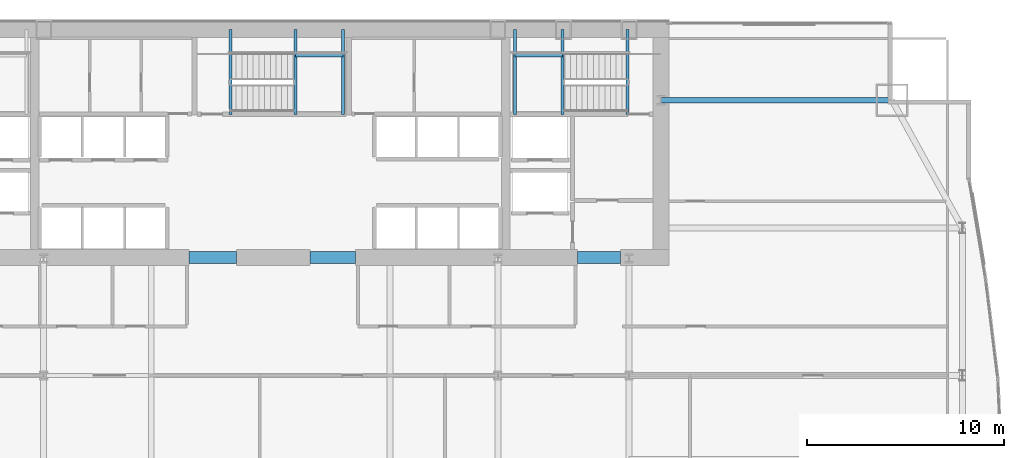
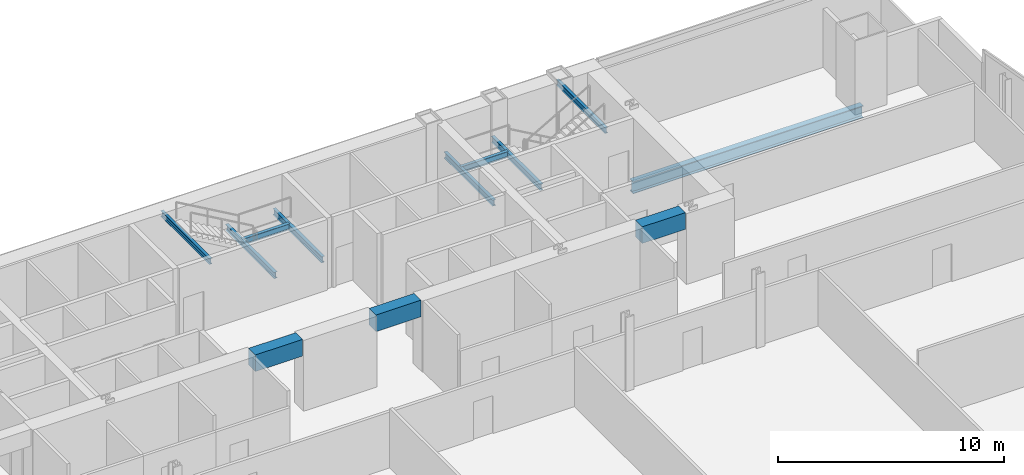
# One storey, part 19 of 32: 12 beams.
"""IFC4 building model written with IfcOpenShell, lengths in metres."""

from ifc_helpers import new_model, si_unit, direction, frame, origin, origin_2d, place, context, subcontext, project, spatial, rectangle, i_section, extrude, material, material_profile, profile_set, type_object, element, save


model = new_model("IFC4")

# Units and contexts
model_context = context("Model", 3, precision=1e-05, world=origin(), true_north=direction((0.0, 1.0)))
body_context = subcontext(model_context, "Body", "Model", "MODEL_VIEW")
ifc_project = project(units=[si_unit("LENGTHUNIT", "METRE"), si_unit("AREAUNIT", "SQUARE_METRE"), si_unit("VOLUMEUNIT", "CUBIC_METRE"), si_unit("PLANEANGLEUNIT", "RADIAN"), si_unit("MASSUNIT", "GRAM", prefix="KILO")], contexts=[model_context])

# Site, building, storey
site_placement = place(None, origin())
site = spatial("IfcSite", under=ifc_project, at=site_placement, CompositionType="ELEMENT")
building_placement = place(site_placement, origin())
building = spatial("IfcBuilding", under=site, at=building_placement, Name="Khoronbel Lancet Exchange", CompositionType="ELEMENT")
storey_placement = place(building_placement, frame((0.0, 0.0, 41.800048828125)))
storey = spatial("IfcBuildingStorey", under=building, at=storey_placement, Name="L09", CompositionType="ELEMENT", Elevation=41.800048828125)

# Beams
ifc_material_1 = material(Name="Steel S355", Category="steel")
ifc_material_profile_1 = material_profile(ifc_material_1, i_section(OverallWidth=0.159912109375, OverallDepth=0.330078125, WebThickness=0.007568359375, FlangeThickness=0.011474609375, at=origin_2d()), Name="IPE 330")
ifc_profile_set_1 = profile_set([ifc_material_profile_1], Name="Steel S355")
beam_type_1 = type_object("IfcBeamType", Name="BM-BJ7", PredefinedType="JOIST", material=ifc_profile_set_1)
for number, where, z_axis, x_axis, name in (
    (1, (51.2900390625, 48.97998046875, 1.635009765625), (0.0, 1.0, 0.0), (-1.0, 0.0, 0.0), "Level L09 stair ST2 landing bearer beam 1"),
    (2, (48.8701171875, 48.97998046875, 1.635009765625), (0.0, 1.0, 0.0), (-1.0, 0.0, 0.0), "Level L09 stair ST2 rear landing bearer beam 1"),
):
    element("IfcBeam", number, at=place(storey_placement, frame(where, z_axis=z_axis, x_axis=x_axis)), inside=storey, type_object=beam_type_1, Name=name, PredefinedType="JOIST", context=body_context, shape_type="SweptSolid", body=[
        extrude(i_section(OverallWidth=0.159912109375, OverallDepth=0.330078125, WebThickness=0.007568359375, FlangeThickness=0.011474609375, at=origin_2d()), origin(), (0.0, 0.0, 1.0), 4.320068359375),
    ])
beam_1_placement = place(storey_placement, frame((48.8701171875, 51.97998046875, 1.635009765625), z_axis=(1.0, 0.0, 0.0), x_axis=(0.0, 1.0, 0.0)))
element("IfcBeam", 3, at=beam_1_placement, inside=storey, type_object=beam_type_1, Name="Level L09 stair ST2 landing cross trimmer beam 1", PredefinedType="JOIST", context=body_context, shape_type="SweptSolid", body=[
    extrude(i_section(OverallWidth=0.159912109375, OverallDepth=0.330078125, WebThickness=0.007568359375, FlangeThickness=0.011474609375, at=origin_2d()), origin(), (0.0, 0.0, 1.0), 2.419921875),
])
for number, where, z_axis, x_axis, name in (
    (4, (37.7099609375, 48.97998046875, 1.635009765625), (0.0, 1.0, 0.0), (-1.0, 0.0, 0.0), "Level L09 stair ST3 landing bearer beam 1"),
    (5, (40.1298828125, 48.97998046875, 1.635009765625), (0.0, 1.0, 0.0), (-1.0, 0.0, 0.0), "Level L09 stair ST3 rear landing bearer beam 1"),
):
    element("IfcBeam", number, at=place(storey_placement, frame(where, z_axis=z_axis, x_axis=x_axis)), inside=storey, type_object=beam_type_1, Name=name, PredefinedType="JOIST", context=body_context, shape_type="SweptSolid", body=[
        extrude(i_section(OverallWidth=0.159912109375, OverallDepth=0.330078125, WebThickness=0.007568359375, FlangeThickness=0.011474609375, at=origin_2d()), origin(), (0.0, 0.0, 1.0), 4.320068359375),
    ])
beam_2_placement = place(storey_placement, frame((37.7099609375, 51.97998046875, 1.635009765625), z_axis=(1.0, 0.0, 0.0), x_axis=(0.0, 1.0, 0.0)))
element("IfcBeam", 6, at=beam_2_placement, inside=storey, type_object=beam_type_1, Name="Level L09 stair ST3 landing cross trimmer beam 1", PredefinedType="JOIST", context=body_context, shape_type="SweptSolid", body=[
    extrude(i_section(OverallWidth=0.159912109375, OverallDepth=0.330078125, WebThickness=0.007568359375, FlangeThickness=0.011474609375, at=origin_2d()), origin(), (0.0, 0.0, 1.0), 2.419921875),
])
ifc_material_profile_2 = material_profile(ifc_material_1, i_section(OverallWidth=0.14990234375, OverallDepth=0.300048828125, WebThickness=0.007080078125, FlangeThickness=0.0107421875, at=origin_2d()), Name="IPE 300")
ifc_profile_set_2 = profile_set([ifc_material_profile_2], Name="Steel S355")
beam_type_2 = type_object("IfcBeamType", Name="BM-BJ8", PredefinedType="JOIST", material=ifc_profile_set_2)
for number, where, z_axis, x_axis, name in (
    (7, (54.60009765625, 48.97998046875, 3.5400390625), (0.0, 1.0, 0.0), (-1.0, 0.0, 0.0), "Level L09 stair ST2 upper-flight arrival trimmer beam"),
    (8, (34.39990234375, 48.97998046875, 3.5400390625), (0.0, 1.0, 0.0), (-1.0, 0.0, 0.0), "Level L09 stair ST3 upper-flight arrival trimmer beam"),
):
    element("IfcBeam", number, at=place(storey_placement, frame(where, z_axis=z_axis, x_axis=x_axis)), inside=storey, type_object=beam_type_2, Name=name, PredefinedType="JOIST", context=body_context, shape_type="SweptSolid", body=[
        extrude(i_section(OverallWidth=0.14990234375, OverallDepth=0.300048828125, WebThickness=0.007080078125, FlangeThickness=0.0107421875, at=origin_2d()), origin(), (0.0, 0.0, 1.0), 4.320068359375),
    ])
ifc_material_2 = material(Name="Concrete C80/95", Category="concrete")
ifc_material_profile_3 = material_profile(ifc_material_2, rectangle(XDim=0.60009765625, YDim=0.89990234375, at=origin_2d()), Name="RC 600x900")
ifc_profile_set_3 = profile_set([ifc_material_profile_3], Name="Concrete C80/95")
beam_type_3 = type_object("IfcBeamType", Name="BM-BL1", PredefinedType="LINTEL", material=ifc_profile_set_3)
beam_3_placement = place(storey_placement, frame((32.300048828125, 41.699951171875, 3.369873046875), z_axis=(1.0, 0.0, 0.0), x_axis=(0.0, 1.0, 0.0)))
element("IfcBeam", 9, at=beam_3_placement, inside=storey, type_object=beam_type_3, Name="Level L09 rear core coupling lintel L2", PredefinedType="LINTEL", context=body_context, shape_type="SweptSolid", body=[
    extrude(rectangle(XDim=0.60009765625, YDim=0.89990234375, at=origin_2d()), origin(), (0.0, 0.0, 1.0), 2.39990234375),
])
beam_4_placement = place(storey_placement, frame((38.449951171875, 41.699951171875, 3.369873046875), z_axis=(1.0, 0.0, 0.0), x_axis=(0.0, 1.0, 0.0)))
element("IfcBeam", 10, at=beam_4_placement, inside=storey, type_object=beam_type_3, Name="Level L09 rear core coupling lintel L3", PredefinedType="LINTEL", context=body_context, shape_type="SweptSolid", body=[
    extrude(rectangle(XDim=0.60009765625, YDim=0.89990234375, at=origin_2d()), origin(), (0.0, 0.0, 1.0), 2.300048828125),
])
beam_5_placement = place(storey_placement, frame((52.050048828125, 41.699951171875, 3.369873046875), z_axis=(1.0, 0.0, 0.0), x_axis=(0.0, 1.0, 0.0)))
element("IfcBeam", 11, at=beam_5_placement, inside=storey, type_object=beam_type_3, Name="Level L09 rear core coupling lintel L4", PredefinedType="LINTEL", context=body_context, shape_type="SweptSolid", body=[
    extrude(rectangle(XDim=0.60009765625, YDim=0.89990234375, at=origin_2d()), origin(), (0.0, 0.0, 1.0), 2.199951171875),
])
ifc_material_profile_4 = material_profile(ifc_material_1, i_section(OverallWidth=0.300048828125, OverallDepth=0.64990234375, WebThickness=0.01611328125, FlangeThickness=0.031005859375, at=origin_2d()), Name="HEB 650")
ifc_profile_set_4 = profile_set([ifc_material_profile_4], Name="Steel S355")
beam_type_4 = type_object("IfcBeamType", Name="BM-BSP1", PredefinedType="SPANDREL", material=ifc_profile_set_4)
beam_6_placement = place(storey_placement, frame((68.050048828125, 49.699951171875, -0.505126953125), z_axis=(-1.0, 0.0, 0.0), x_axis=(0.0, -1.0, 0.0)))
element("IfcBeam", 12, at=beam_6_placement, inside=storey, type_object=beam_type_4, Name="Level L09 north flank tie spandrel SP23", PredefinedType="SPANDREL", context=body_context, shape_type="SweptSolid", body=[
    extrude(i_section(OverallWidth=0.300048828125, OverallDepth=0.64990234375, WebThickness=0.01611328125, FlangeThickness=0.031005859375, at=origin_2d()), origin(), (0.0, 0.0, 1.0), 11.75),
])

save(model, "model.ifc")
